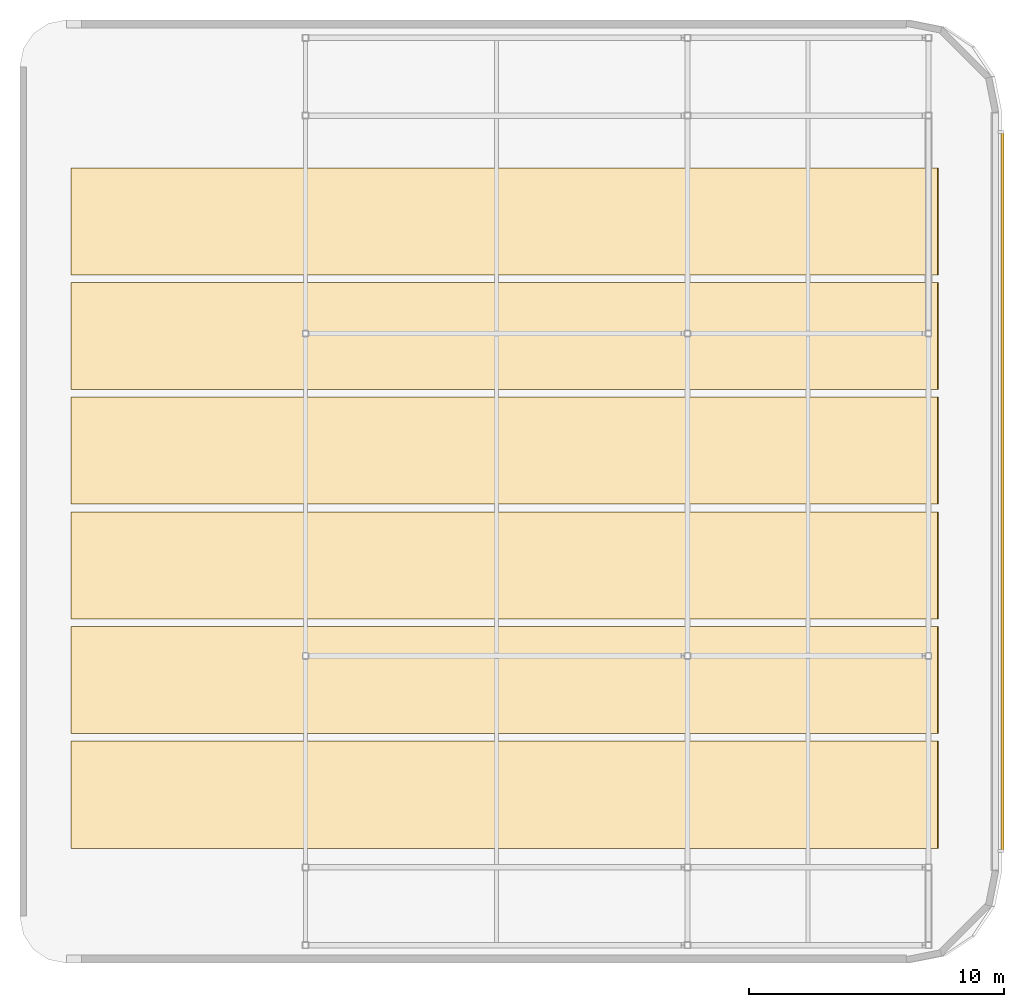
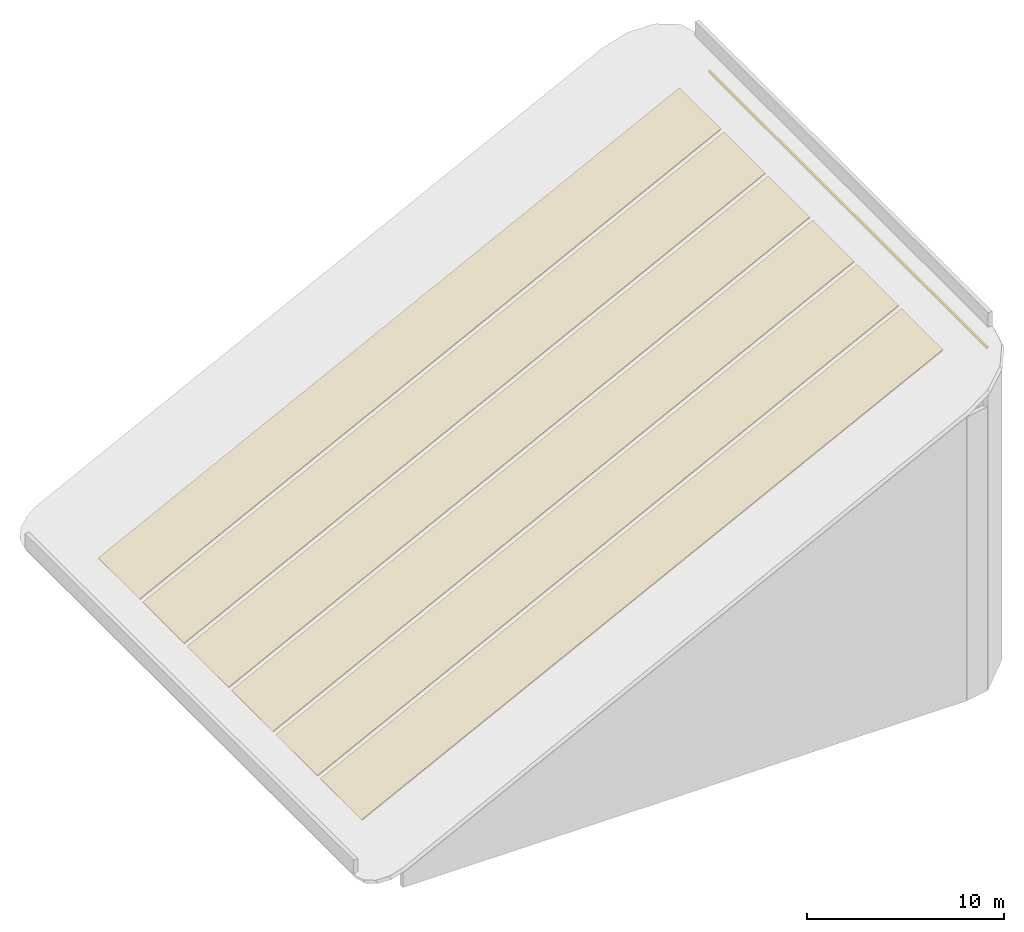
# One storey, part 4 of 4: 6 coverings, 1 shading device.
"""IFC4 building model written with IfcOpenShell, lengths in metres."""

from ifc_helpers import new_model, si_unit, direction, frame, origin, origin_2d, place, context, subcontext, project, spatial, polyline, rectangle, outline, extrude, material, layer, layer_set, material_profile, profile_set, type_object, element, save


model = new_model("IFC4")

# Units and contexts
model_context = context("Model", 3, precision=1e-05, world=origin(), true_north=direction((0.0, 1.0)))
body_context = subcontext(model_context, "Body", "Model", "MODEL_VIEW")
ifc_project = project(units=[si_unit("LENGTHUNIT", "METRE"), si_unit("AREAUNIT", "SQUARE_METRE"), si_unit("VOLUMEUNIT", "CUBIC_METRE"), si_unit("PLANEANGLEUNIT", "RADIAN"), si_unit("MASSUNIT", "GRAM", prefix="KILO")], contexts=[model_context])

# Site, building, storey
site_placement = place(None, origin())
site = spatial("IfcSite", under=ifc_project, at=site_placement, CompositionType="ELEMENT")
building_placement = place(site_placement, origin())
building = spatial("IfcBuilding", under=site, at=building_placement, Name="Ochreholt Gables", CompositionType="ELEMENT")
storey_placement = place(building_placement, frame((0.0, 0.0, 293.0)))
storey = spatial("IfcBuildingStorey", under=building, at=storey_placement, Name="Roof", CompositionType="ELEMENT", Elevation=293.0)

# Coverings
ifc_material_1 = material(Name="SBS Modified Bitumen Insulated Roofing Membrane", Category="membrane")
ifc_layer = layer(ifc_material_1, 0.080078125, Name="SBS Modified Bitumen Insulated Roofing Membrane")
ifc_layer_set = layer_set([ifc_layer], Name="SBS Modified Bitumen Insulated Roofing Membrane")
covering_type = type_object("IfcCoveringType", Name="COV-ROOF-MEM", PredefinedType="ROOFING", material=ifc_layer_set)
for number, where, z_axis, x_axis, name in (
    (1, (26.0, 10.0, 1.405517578125), (-0.45092702747, 0.0, 0.892560819159), (0.892560819159, 0.0, 0.45092702747), "Roof Insulated Membrane Bay 1"),
    (2, (26.0, 14.5, 1.405517578125), (-0.45092702747, 0.0, 0.892560819159), (0.892560819159, 0.0, 0.45092702747), "Roof Insulated Membrane Bay 2"),
    (3, (26.0, 19.0, 1.405517578125), (-0.45092702747, 0.0, 0.892560819159), (0.892560819159, 0.0, 0.45092702747), "Roof Insulated Membrane Bay 3"),
    (4, (26.0, 23.5, 1.405517578125), (-0.45092702747, 0.0, 0.892560819159), (0.892560819159, 0.0, 0.45092702747), "Roof Insulated Membrane Bay 4"),
    (5, (26.0, 28.0, 1.405517578125), (-0.45092702747, 0.0, 0.892560819159), (0.892560819159, 0.0, 0.45092702747), "Roof Insulated Membrane Bay 5"),
    (6, (26.0, 32.5, 1.405517578125), (-0.45092702747, 0.0, 0.892560819159), (0.892560819159, 0.0, 0.45092702747), "Roof Insulated Membrane Bay 6"),
):
    element("IfcCovering", number, at=place(storey_placement, frame(where, z_axis=z_axis, x_axis=x_axis)), inside=storey, type_object=covering_type, Name=name, PredefinedType="ROOFING", context=body_context, shape_type="SweptSolid", body=[
        extrude(outline(polyline([(0.0, 0.0), (38.09264228296142, 0.0), (38.09264228296142, 4.199951171875), (0.0, 4.199951171875), (0.0, 0.0)])), origin(), (0.0, 0.0, -1.0), 0.080078125),
    ])

# Shading device
ifc_material_2 = material(Name="Warm Ochre Glazed Terracotta Baguette", Category="masonry")
ifc_material_profile = material_profile(ifc_material_2, rectangle(XDim=0.110107421875, YDim=0.14990234375, at=origin_2d()), Name="TCBAG110X150")
ifc_profile_set = profile_set([ifc_material_profile], Name="Warm Ochre Glazed Terracotta Baguette")
shading_device_type = type_object("IfcShadingDeviceType", Name="SHD-BAGUETTE", PredefinedType="USERDEFINED", material=ifc_profile_set)
shading_device_placement = place(storey_placement, frame((62.550048828125, 9.89990234375, 17.860107421875), z_axis=(0.0, 1.0, 0.0), x_axis=(-1.0, 0.0, 0.0)))
element("IfcShadingDevice", 7, at=shading_device_placement, inside=storey, type_object=shading_device_type, Name="Roof Terracotta Baguette Screen E-1", ObjectType="BAGUETTE", PredefinedType="USERDEFINED", context=body_context, shape_type="SweptSolid", body=[
    extrude(rectangle(XDim=0.110107421875, YDim=0.14990234375, at=origin_2d()), origin(), (0.0, 0.0, 1.0), 28.2001953125),
])

save(model, "model.ifc")
